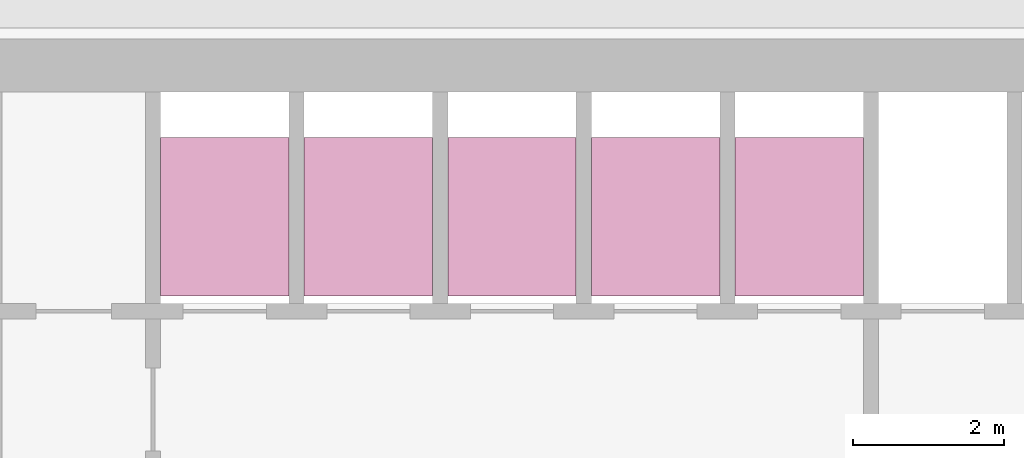
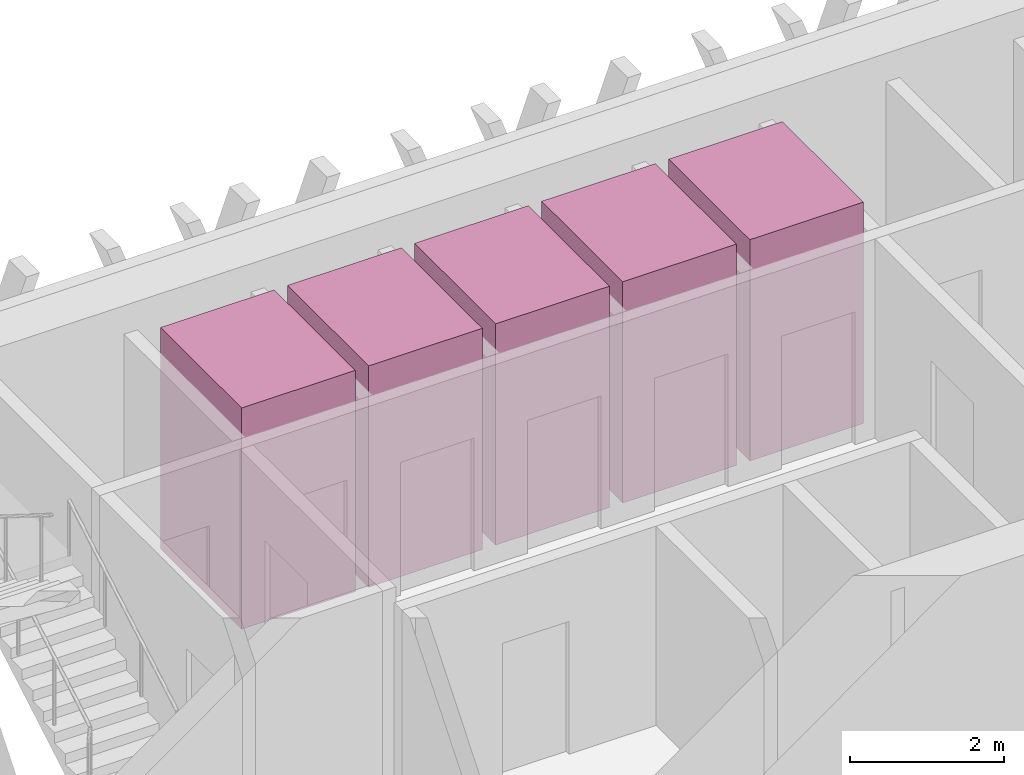
# One storey, part 16 of 16: 5 transport elements.
"""IFC4 building model written with IfcOpenShell, lengths in metres."""

from ifc_helpers import new_model, si_unit, direction, frame, origin, origin_2d, place, context, subcontext, project, spatial, rectangle, extrude, material, type_object, element, save


model = new_model("IFC4")

# Units and contexts
model_context = context("Model", 3, precision=1e-05, world=origin(), true_north=direction((0.0, 1.0)))
body_context = subcontext(model_context, "Body", "Model", "MODEL_VIEW")
ifc_project = project(units=[si_unit("LENGTHUNIT", "METRE"), si_unit("AREAUNIT", "SQUARE_METRE"), si_unit("VOLUMEUNIT", "CUBIC_METRE"), si_unit("PLANEANGLEUNIT", "RADIAN"), si_unit("MASSUNIT", "GRAM", prefix="KILO")], contexts=[model_context])

# Site, building, storey
site_placement = place(None, origin())
site = spatial("IfcSite", under=ifc_project, at=site_placement, CompositionType="ELEMENT")
building_placement = place(site_placement, origin())
building = spatial("IfcBuilding", under=site, at=building_placement, Name="Altiplano Prism Tower", CompositionType="ELEMENT")
storey_placement = place(building_placement, frame((0.0, 0.0, 178.199951171875)))
storey = spatial("IfcBuildingStorey", under=building, at=storey_placement, Name="L46", CompositionType="ELEMENT", Elevation=178.199951171875)

# Transport elements
ifc_material = material(Name="Stainless steel lift car", Category="steel")
transport_element_type = type_object("IfcTransportElementType", Name="Passenger lift car 1600 x 2100", PredefinedType="ELEVATOR", material=ifc_material)
for number, where, z_axis, x_axis, name in (
    (1, (79.050048828125, 101.75, 0.050048828125), (0.0, 0.0, 1.0), (1.0, 0.0, 0.0), "Mid Zone Passenger Lift 1"),
    (2, (80.949951171875, 101.75, 0.050048828125), (0.0, 0.0, 1.0), (1.0, 0.0, 0.0), "Mid Zone Passenger Lift 2"),
    (3, (82.85009765625, 101.75, 0.050048828125), (0.0, 0.0, 1.0), (1.0, 0.0, 0.0), "Mid Zone Passenger Lift 3"),
    (4, (84.75, 101.75, 0.050048828125), (0.0, 0.0, 1.0), (1.0, 0.0, 0.0), "Mid Zone Passenger Lift 4"),
    (5, (86.64990234375, 101.75, 0.050048828125), (0.0, 0.0, 1.0), (1.0, 0.0, 0.0), "Mid Zone Passenger Lift 5"),
):
    element("IfcTransportElement", number, at=place(storey_placement, frame(where, z_axis=z_axis, x_axis=x_axis)), inside=storey, type_object=transport_element_type, Name=name, PredefinedType="ELEVATOR", context=body_context, shape_type="SweptSolid", body=[
        extrude(rectangle(XDim=1.699951171875, YDim=2.10009765625, at=origin_2d()), origin(), (0.0, 0.0, 1.0), 3.5),
    ])

save(model, "model.ifc")
